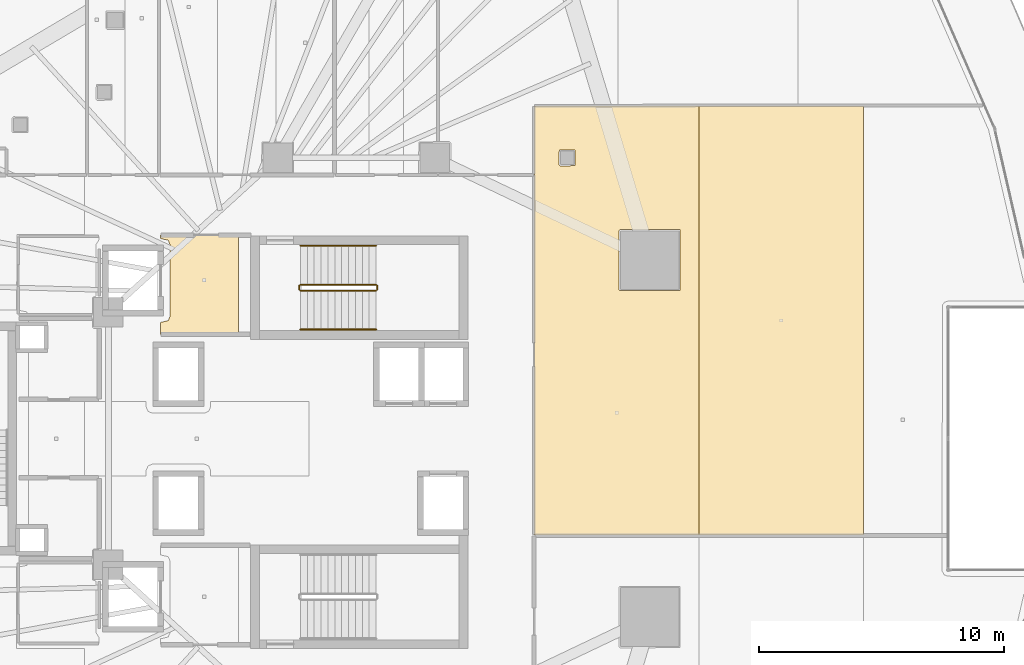
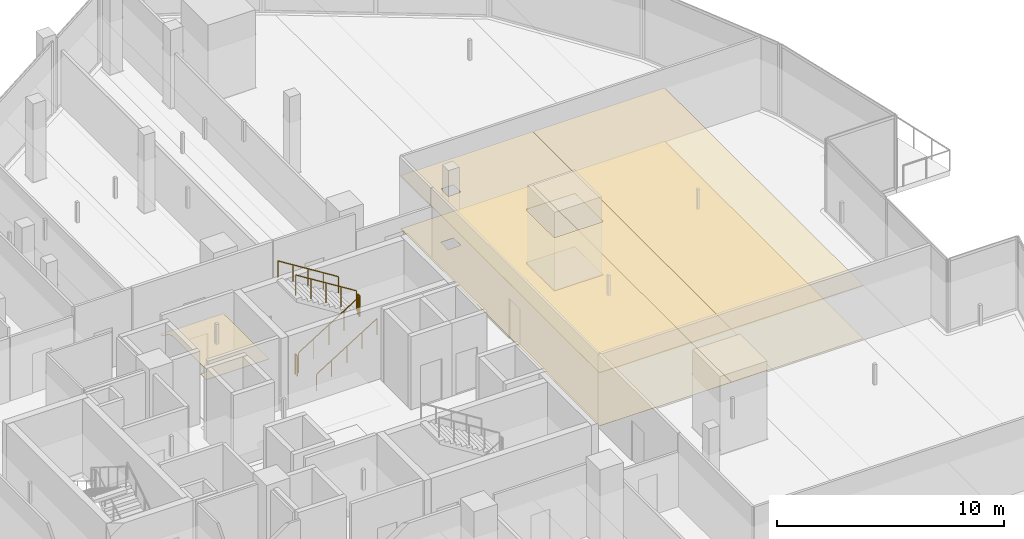
# One storey, part 43 of 44: 6 railings, 5 coverings.
"""IFC4 building model written with IfcOpenShell, lengths in metres."""

from ifc_helpers import new_model, si_unit, direction, frame, origin, origin_2d, place, context, subcontext, project, spatial, polyline, circle, outline, extrude, material, layer, layer_set, type_object, element, save


model = new_model("IFC4")

# Units and contexts
model_context = context("Model", 3, precision=1e-05, world=origin(), true_north=direction((0.0, 1.0)))
body_context = subcontext(model_context, "Body", "Model", "MODEL_VIEW")
ifc_project = project(units=[si_unit("LENGTHUNIT", "METRE"), si_unit("AREAUNIT", "SQUARE_METRE"), si_unit("VOLUMEUNIT", "CUBIC_METRE"), si_unit("PLANEANGLEUNIT", "RADIAN"), si_unit("MASSUNIT", "GRAM", prefix="KILO")], contexts=[model_context])

# Site, building, storey
site_placement = place(None, origin())
site = spatial("IfcSite", under=ifc_project, at=site_placement, CompositionType="ELEMENT")
building_placement = place(site_placement, origin())
building = spatial("IfcBuilding", under=site, at=building_placement, Name="Qorvath Tower", CompositionType="ELEMENT")
storey_placement = place(building_placement, frame((0.0, 0.0, 53.39990234375)))
storey = spatial("IfcBuildingStorey", under=building, at=storey_placement, Name="L11", CompositionType="ELEMENT", Elevation=53.39990234375)

# Coverings
ifc_material_1 = material(Name="Acoustic mineral fibre ceiling tile", Category="gypsum")
ifc_layer_1 = layer(ifc_material_1, 0.030029296875)
ifc_layer_set_1 = layer_set([ifc_layer_1], Name="COV-CEIL")
covering_type_1 = type_object("IfcCoveringType", Name="COV-CEIL", PredefinedType="CEILING", material=ifc_layer_set_1)
covering_1_placement = place(storey_placement, frame((0.0, 0.0, 2.85009765625)))
element("IfcCovering", 1, at=covering_1_placement, inside=storey, type_object=covering_type_1, Name="L11 Suspended Acoustic Ceiling 001", PredefinedType="CEILING", context=body_context, shape_type="SweptSolid", body=[
    extrude(outline(polyline([(-25.18994140625, 4.2548828125), (-25.18994140625, 8.294921875), (-28.375, 8.294921875), (-28.375, 8.159912109375), (-28.063232421875, 8.086669921875), (-27.989990234375, 7.909912109375), (-27.989990234375, 4.989990234375), (-28.063232421875, 4.813232421875), (-28.375, 4.739990234375), (-28.375, 4.2548828125), (-25.18994140625, 4.2548828125)])), origin(), (0.0, 0.0, 1.0), 0.030029296875),
])
covering_2_placement = place(storey_placement, frame((0.0, 0.0, 2.85009765625)))
element("IfcCovering", 2, at=covering_2_placement, inside=storey, type_object=covering_type_1, Name="L11 Suspended Acoustic Ceiling 038", PredefinedType="CEILING", context=body_context, shape_type="SweptSolid", body=[
    extrude(outline(polyline([(-6.4267578125, -3.92822265625), (-6.4267578125, 13.56201171875), (-13.136962890625, 13.5537109375), (-13.136962890625, -3.92822265625), (-6.4267578125, -3.92822265625)]), holes=[polyline([(-9.690185546875, 8.476318359375), (-9.63037109375, 8.536376953125), (-7.18798828125, 8.518798828125), (-7.18798828125, 6.033935546875), (-9.672607421875, 6.033935546875), (-9.690185546875, 8.476318359375)]), polyline([(-12.135009765625, 11.175048828125), (-12.117431640625, 11.767333984375), (-11.482666015625, 11.767333984375), (-11.482666015625, 11.132568359375), (-12.074951171875, 11.114990234375), (-12.135009765625, 11.175048828125)])]), origin(), (0.0, 0.0, 1.0), 0.030029296875),
])
covering_3_placement = place(storey_placement, frame((0.0, 0.0, 2.85009765625)))
element("IfcCovering", 3, at=covering_3_placement, inside=storey, type_object=covering_type_1, Name="L11 Suspended Acoustic Ceiling 039", PredefinedType="CEILING", context=body_context, shape_type="SweptSolid", body=[
    extrude(outline(polyline([(0.283447265625, -3.92822265625), (0.283447265625, 13.5703125), (-6.4267578125, 13.56201171875), (-6.4267578125, -3.92822265625), (0.283447265625, -3.92822265625)])), origin(), (0.0, 0.0, 1.0), 0.030029296875),
])
ifc_material_2 = material(Name="Low-VOC modular carpet tile", Category="textile")
ifc_layer_2 = layer(ifc_material_2, 0.014892578125)
ifc_layer_set_2 = layer_set([ifc_layer_2], Name="COV-FLOOR-CPT")
covering_type_2 = type_object("IfcCoveringType", Name="COV-FLOOR-CPT", PredefinedType="FLOORING", material=ifc_layer_set_2)
covering_4_placement = place(storey_placement, origin())
element("IfcCovering", 4, at=covering_4_placement, inside=storey, type_object=covering_type_2, Name="L11 Floor Finish 038", PredefinedType="FLOORING", context=body_context, shape_type="SweptSolid", body=[
    extrude(outline(polyline([(-6.4267578125, -3.92822265625), (-6.4267578125, 13.56201171875), (-13.136962890625, 13.5537109375), (-13.136962890625, -3.92822265625), (-6.4267578125, -3.92822265625)]), holes=[polyline([(-9.690185546875, 8.476318359375), (-9.63037109375, 8.536376953125), (-7.18798828125, 8.518798828125), (-7.18798828125, 6.033935546875), (-9.672607421875, 6.033935546875), (-9.690185546875, 8.476318359375)]), polyline([(-12.135009765625, 11.175048828125), (-12.117431640625, 11.767333984375), (-11.482666015625, 11.767333984375), (-11.482666015625, 11.132568359375), (-12.074951171875, 11.114990234375), (-12.135009765625, 11.175048828125)])]), origin(), (0.0, 0.0, 1.0), 0.01513671875),
])
covering_5_placement = place(storey_placement, origin())
element("IfcCovering", 5, at=covering_5_placement, inside=storey, type_object=covering_type_2, Name="L11 Floor Finish 039", PredefinedType="FLOORING", context=body_context, shape_type="SweptSolid", body=[
    extrude(outline(polyline([(0.283447265625, -3.92822265625), (0.283447265625, 13.5703125), (-6.4267578125, 13.56201171875), (-6.4267578125, -3.92822265625), (0.283447265625, -3.92822265625)])), origin(), (0.0, 0.0, 1.0), 0.01513671875),
])

# Railings
ifc_material_3 = material(Name="Painted galvanised steel", Category="steel")
railing_type_1 = type_object("IfcRailingType", Name="RL-STR-GRD", PredefinedType="GUARDRAIL", material=ifc_material_3)
railing_1_placement = place(storey_placement, frame((-22.669921875, 6.030029296875, 0.175048828125)))
element("IfcRailing", 6, at=railing_1_placement, inside=storey, type_object=railing_type_1, Name="L11 TS1 stair guard 1", PredefinedType="GUARDRAIL", context=body_context, shape_type="SweptSolid", body=[
    extrude(circle(Radius=0.02392578125, at=origin_2d()), frame((0.0, 0.0, 1.076171875), z_axis=(0.847979421464, 0.0, 0.530029150871), x_axis=(0.0, 1.0, 0.0)), (0.0, 0.0, 1.0), 3.632080078125),
    extrude(circle(Radius=0.02099609375, at=origin_2d()), origin(), (0.0, 0.0, 1.0), 1.052001953125),
    extrude(circle(Radius=0.02099609375, at=origin_2d()), frame((0.77001953125, 0.0, 0.481201171875)), (0.0, 0.0, 1.0), 1.052001953125),
    extrude(circle(Radius=0.02099609375, at=origin_2d()), frame((1.5400390625, 0.0, 0.96240234375)), (0.0, 0.0, 1.0), 1.052001953125),
    extrude(circle(Radius=0.02099609375, at=origin_2d()), frame((2.309814453125, 0.0, 1.44384765625)), (0.0, 0.0, 1.0), 1.052001953125),
    extrude(circle(Radius=0.02099609375, at=origin_2d()), frame((3.079833984375, 0.0, 1.925048828125)), (0.0, 0.0, 1.0), 1.052001953125),
])
railing_2_placement = place(storey_placement, frame((-19.5400390625, 6.080078125, 2.10009765625)))
element("IfcRailing", 7, at=railing_2_placement, inside=storey, type_object=railing_type_1, Name="L11 TS1 stair guard 2", PredefinedType="GUARDRAIL", context=body_context, shape_type="SweptSolid", body=[
    extrude(circle(Radius=0.02392578125, at=origin_2d()), frame((0.0, 0.0, 1.076171875), z_axis=(0.0, 1.0, 0.0), x_axis=(-1.0, 0.0, 0.0)), (0.0, 0.0, 1.0), 0.14990234375),
    extrude(circle(Radius=0.02099609375, at=origin_2d()), origin(), (0.0, 0.0, 1.0), 1.052001953125),
    extrude(circle(Radius=0.02099609375, at=origin_2d()), frame((0.0, 0.14990234375, 0.0)), (0.0, 0.0, 1.0), 1.052001953125),
])
railing_3_placement = place(storey_placement, frame((-19.590087890625, 6.280029296875, 2.275146484375)))
element("IfcRailing", 8, at=railing_3_placement, inside=storey, type_object=railing_type_1, Name="L11 TS1 stair guard 3", PredefinedType="GUARDRAIL", context=body_context, shape_type="SweptSolid", body=[
    extrude(circle(Radius=0.02392578125, at=origin_2d()), frame((0.0, 0.0, 1.076171875), z_axis=(-0.847979421464, 0.0, 0.530029150871), x_axis=(0.0, -1.0, 0.0)), (0.0, 0.0, 1.0), 3.632080078125),
    extrude(circle(Radius=0.02099609375, at=origin_2d()), origin(), (0.0, 0.0, 1.0), 1.052001953125),
    extrude(circle(Radius=0.02099609375, at=origin_2d()), frame((-0.77001953125, 0.0, 0.481201171875)), (0.0, 0.0, 1.0), 1.052001953125),
    extrude(circle(Radius=0.02099609375, at=origin_2d()), frame((-1.5400390625, 0.0, 0.96240234375)), (0.0, 0.0, 1.0), 1.052001953125),
    extrude(circle(Radius=0.02099609375, at=origin_2d()), frame((-2.309814453125, 0.0, 1.44384765625)), (0.0, 0.0, 1.0), 1.052001953125),
    extrude(circle(Radius=0.02099609375, at=origin_2d()), frame((-3.079833984375, 0.0, 1.925048828125)), (0.0, 0.0, 1.0), 1.052001953125),
])
railing_4_placement = place(storey_placement, frame((-22.719970703125, 6.080078125, 0.0)))
element("IfcRailing", 9, at=railing_4_placement, inside=storey, type_object=railing_type_1, Name="L11 TS1 stair guard 4", PredefinedType="GUARDRAIL", context=body_context, shape_type="SweptSolid", body=[
    extrude(circle(Radius=0.02392578125, at=origin_2d()), frame((0.0, 0.0, 1.076171875), z_axis=(0.0, 1.0, 0.0), x_axis=(-1.0, 0.0, 0.0)), (0.0, 0.0, 1.0), 0.14990234375),
    extrude(circle(Radius=0.02099609375, at=origin_2d()), origin(), (0.0, 0.0, 1.0), 1.052001953125),
    extrude(circle(Radius=0.02099609375, at=origin_2d()), frame((0.0, 0.14990234375, 0.0)), (0.0, 0.0, 1.0), 1.052001953125),
])
ifc_material_4 = material(Name="Brushed stainless steel AISI 304", Category="steel")
railing_type_2 = type_object("IfcRailingType", Name="RL-STR-HND", PredefinedType="HANDRAIL", material=ifc_material_4)
railing_5_placement = place(storey_placement, frame((-22.669921875, 4.449951171875, 0.175048828125)))
element("IfcRailing", 10, at=railing_5_placement, inside=storey, type_object=railing_type_2, Name="L11 TS1 stair handrail 1", PredefinedType="HANDRAIL", context=body_context, shape_type="SweptSolid", body=[
    extrude(circle(Radius=0.02392578125, at=origin_2d()), frame((0.0, 0.0, 0.8759765625), z_axis=(0.847979421464, 0.0, 0.530029150871), x_axis=(0.0, 1.0, 0.0)), (0.0, 0.0, 1.0), 3.632080078125),
    extrude(circle(Radius=0.02099609375, at=origin_2d()), origin(), (0.0, 0.0, 1.0), 0.851806640625),
    extrude(circle(Radius=0.02099609375, at=origin_2d()), frame((0.77001953125, 0.0, 0.481201171875)), (0.0, 0.0, 1.0), 0.851806640625),
    extrude(circle(Radius=0.02099609375, at=origin_2d()), frame((1.5400390625, 0.0, 0.96240234375)), (0.0, 0.0, 1.0), 0.851806640625),
    extrude(circle(Radius=0.02099609375, at=origin_2d()), frame((2.309814453125, 0.0, 1.44384765625)), (0.0, 0.0, 1.0), 0.851806640625),
    extrude(circle(Radius=0.02099609375, at=origin_2d()), frame((3.079833984375, 0.0, 1.925048828125)), (0.0, 0.0, 1.0), 0.851806640625),
])
railing_6_placement = place(storey_placement, frame((-19.590087890625, 7.860107421875, 2.275146484375)))
element("IfcRailing", 11, at=railing_6_placement, inside=storey, type_object=railing_type_2, Name="L11 TS1 stair handrail 2", PredefinedType="HANDRAIL", context=body_context, shape_type="SweptSolid", body=[
    extrude(circle(Radius=0.02392578125, at=origin_2d()), frame((0.0, 0.0, 0.8759765625), z_axis=(-0.847979421464, 0.0, 0.530029150871), x_axis=(0.0, -1.0, 0.0)), (0.0, 0.0, 1.0), 3.632080078125),
    extrude(circle(Radius=0.02099609375, at=origin_2d()), origin(), (0.0, 0.0, 1.0), 0.851806640625),
    extrude(circle(Radius=0.02099609375, at=origin_2d()), frame((-0.77001953125, 0.0, 0.481201171875)), (0.0, 0.0, 1.0), 0.851806640625),
    extrude(circle(Radius=0.02099609375, at=origin_2d()), frame((-1.5400390625, 0.0, 0.96240234375)), (0.0, 0.0, 1.0), 0.851806640625),
    extrude(circle(Radius=0.02099609375, at=origin_2d()), frame((-2.309814453125, 0.0, 1.44384765625)), (0.0, 0.0, 1.0), 0.851806640625),
    extrude(circle(Radius=0.02099609375, at=origin_2d()), frame((-3.079833984375, 0.0, 1.925048828125)), (0.0, 0.0, 1.0), 0.851806640625),
])

save(model, "model.ifc")
